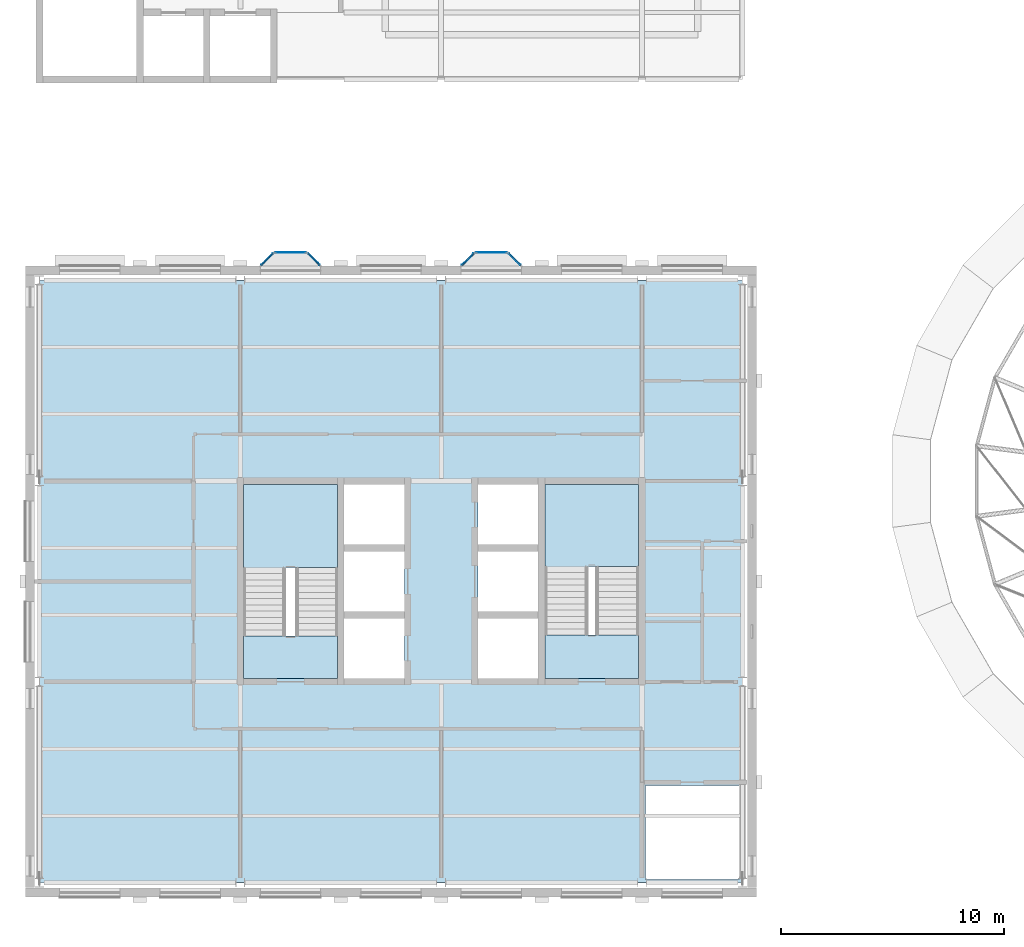
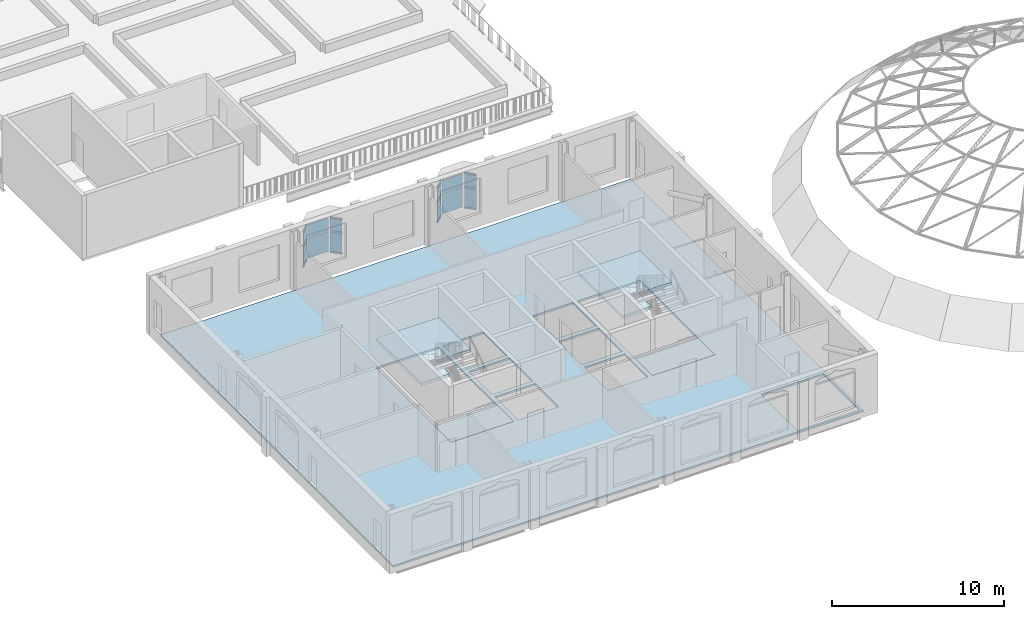
# One storey, part 9 of 33: 12 members, 12 plates, 5 slabs, 8 elements without a shape of their own.
"""IFC4 building model written with IfcOpenShell, lengths in metres."""

import ifcopenshell
import ifcopenshell.guid

model = None  # the IFC model being written
_history = None  # IfcOwnerHistory: only IFC2X3 demands one
_inside = {}  # id of a spatial element -> (the spatial element, [elements in it])
_under = {}  # id of a project, library or spatial element -> (it, [spatial elements below it])
_declared = {}  # id of a project -> (the project, [libraries it declares])
_typed = {}  # id of a type object -> (the type object, [elements of that type])
_made_of = {}  # id of a material, layer set ... -> (it, [elements and type objects made of it])


def new_model(schema):
    """Start an empty IFC model of exactly this schema.

    Asked for "IFC4X3", IfcOpenShell would pick the latest addendum, in which some entities
    have other attributes; the version numbers below select the first issue.
    IFC2X3 requires an IfcOwnerHistory on every rooted entity: one is made here for all.
    """
    global model, _history
    if schema == "IFC4X3":
        model = ifcopenshell.file(schema_version=(4, 3, 0, 0))
    else:
        model = ifcopenshell.file(schema=schema)
    _inside.clear()
    _under.clear()
    _declared.clear()
    _typed.clear()
    _made_of.clear()
    _history = None
    if model.schema == "IFC2X3":
        org = make("IfcOrganization", Name="unknown")
        user = make(
            "IfcPersonAndOrganization",
            ThePerson=make("IfcPerson", FamilyName="unknown"),
            TheOrganization=org,
        )
        app = make(
            "IfcApplication",
            ApplicationDeveloper=org,
            Version="unknown",
            ApplicationFullName="unknown",
            ApplicationIdentifier="unknown",
        )
        _history = make(
            "IfcOwnerHistory",
            OwningUser=user,
            OwningApplication=app,
            ChangeAction="ADDED",
            CreationDate=0,
        )
    return model


def make(cls, **values):
    """One entity of the class cls with the attributes given. An attribute that is None is left unset."""
    return model.create_entity(
        cls, **{name: value for name, value in values.items() if value is not None}
    )


def rooted(cls, **values):
    """An entity with a GlobalId (a new one), such as an element, a storey or a relation."""
    return make(cls, GlobalId=ifcopenshell.guid.new(), OwnerHistory=_history, **values)


def si_unit(unit_type, name, prefix=None):
    """IfcSIUnit, for example si_unit("LENGTHUNIT", "METRE", prefix="MILLI")."""
    return make("IfcSIUnit", UnitType=unit_type, Prefix=prefix, Name=name)


def assignment(units):
    """IfcUnitAssignment: the units of a project."""
    return None if units is None else make("IfcUnitAssignment", Units=units)


def point(xyz):
    """IfcCartesianPoint."""
    return None if xyz is None else make("IfcCartesianPoint", Coordinates=xyz)


def direction(xyz):
    """IfcDirection."""
    return None if xyz is None else make("IfcDirection", DirectionRatios=xyz)


def frame(location, z_axis=None, x_axis=None):
    """IfcAxis2Placement3D, a coordinate frame: its origin and axes. An axis left out is left unset."""
    return make(
        "IfcAxis2Placement3D",
        Location=point(location),
        Axis=direction(z_axis),
        RefDirection=direction(x_axis),
    )


def frame_2d(location, x_axis=None):
    """IfcAxis2Placement2D, a coordinate frame in the plane: its origin and x axis."""
    return make(
        "IfcAxis2Placement2D", Location=point(location), RefDirection=direction(x_axis)
    )


def origin():
    """The frame at (0, 0, 0) with its axes left unset."""
    return frame((0.0, 0.0, 0.0))


def origin_2d():
    """The frame at (0, 0) in the plane with its x axis left unset."""
    return frame_2d((0.0, 0.0))


def place(relative_to, where):
    """IfcLocalPlacement: puts the frame where relative to a parent placement (None: the world)."""
    return make(
        "IfcLocalPlacement", PlacementRelTo=relative_to, RelativePlacement=where
    )


def context(
    kind, dimensions, precision=None, world=None, true_north=None, identifier=None
):
    """IfcGeometricRepresentationContext, for example the 3D "Model" context."""
    return make(
        "IfcGeometricRepresentationContext",
        ContextIdentifier=identifier,
        ContextType=kind,
        CoordinateSpaceDimension=dimensions,
        Precision=precision,
        WorldCoordinateSystem=world,
        TrueNorth=true_north,
    )


def subcontext(parent, identifier, kind, view, scale=None):
    """IfcGeometricRepresentationSubContext, for example "Body" below "Model"."""
    return make(
        "IfcGeometricRepresentationSubContext",
        ContextIdentifier=identifier,
        ContextType=kind,
        ParentContext=parent,
        TargetScale=scale,
        TargetView=view,
    )


def project(units=None, contexts=None):
    """IfcProject with its units and contexts."""
    return rooted(
        "IfcProject",
        Name="project",
        RepresentationContexts=contexts,
        UnitsInContext=assignment(units),
    )


def spatial(cls, under=None, at=None, **own):
    """A site, building, storey or space (cls), placed at a placement, below another one or the project."""
    s = rooted(cls, ObjectPlacement=at, **own)
    if under is not None:
        _under.setdefault(under.id(), (under, []))[1].append(s)
    return s


def polyline(points):
    """IfcPolyline through the points."""
    return make("IfcPolyline", Points=[point(p) for p in points])


def profile(cls, at=None, kind="AREA", **sizes):
    """A parametric profile (cls). Its sizes go by their IFC names, for example OverallWidth=200.0."""
    return make(cls, ProfileType=kind, Position=at, **sizes)


def rectangle(**sizes):
    """IfcRectangleProfileDef."""
    return profile("IfcRectangleProfileDef", **sizes)


def outline(outer, holes=None, kind="AREA"):
    """IfcArbitraryClosedProfileDef: a profile drawn as a closed curve; with holes, ...WithVoids."""
    if holes is None:
        return make("IfcArbitraryClosedProfileDef", ProfileType=kind, OuterCurve=outer)
    return make(
        "IfcArbitraryProfileDefWithVoids",
        ProfileType=kind,
        OuterCurve=outer,
        InnerCurves=holes,
    )


def extrude(swept, where, along, depth):
    """IfcExtrudedAreaSolid: the profile swept, set in the frame where, extruded along a direction by depth."""
    return make(
        "IfcExtrudedAreaSolid",
        SweptArea=swept,
        Position=where,
        ExtrudedDirection=direction(along),
        Depth=depth,
    )


def shape(context_of_items, identifier, shape_type, items):
    """IfcShapeRepresentation: the items that make up one representation, for example the "Body"."""
    return make(
        "IfcShapeRepresentation",
        ContextOfItems=context_of_items,
        RepresentationIdentifier=identifier,
        RepresentationType=shape_type,
        Items=items,
    )


def material(Name=None, Category=None):
    """IfcMaterial."""
    return make("IfcMaterial", Name=Name, Category=Category)


def layer(
    of_material, thickness, ventilated=None, Name=None, Category=None, Priority=None
):
    """IfcMaterialLayer: one layer of a wall or slab, of a material (None: an air gap)."""
    return make(
        "IfcMaterialLayer",
        Material=of_material,
        LayerThickness=thickness,
        IsVentilated=ventilated,
        Name=Name,
        Category=Category,
        Priority=Priority,
    )


def layer_set(layers, Name=None):
    """IfcMaterialLayerSet."""
    return make("IfcMaterialLayerSet", MaterialLayers=layers, LayerSetName=Name)


def material_profile(
    of_material, cross_section, Name=None, Category=None, Priority=None
):
    """IfcMaterialProfile: a cross section and its material."""
    return make(
        "IfcMaterialProfile",
        Name=Name,
        Material=of_material,
        Profile=cross_section,
        Priority=Priority,
        Category=Category,
    )


def profile_set(profiles, Name=None, composite=None):
    """IfcMaterialProfileSet."""
    return make(
        "IfcMaterialProfileSet",
        Name=Name,
        MaterialProfiles=profiles,
        CompositeProfile=composite,
    )


def made_of(thing, what):
    """Note that an element or type object is made of a material, layer set ...; save() writes the relation."""
    if what is not None:
        _made_of.setdefault(what.id(), (what, []))[1].append(thing)
    return thing


def type_object(cls, material=None, **own):
    """A type object (cls), such as IfcWallType, which elements share."""
    return made_of(rooted(cls, **own), material)


def element(
    cls,
    number,
    at=None,
    inside=None,
    cuts=None,
    type_object=None,
    material=None,
    context=None,
    identifier="Body",
    shape_type=None,
    held_by="IfcProductDefinitionShape",
    body=None,
    shapes=None,
    **own,
):
    """One element of the class cls, such as IfcWall. Its Tag is "e" and its number.

    at: its placement. inside: the storey or other place that contains it. cuts: it is an
    opening in that element (IfcRelVoidsElement). A single representation is given by context,
    identifier, shape_type and body (its items); several are given by shapes. held_by: the class
    of the entity that holds the representations. save() writes the other relations.
    """
    e = rooted(cls, Tag="e%d" % number, ObjectPlacement=at, **own)
    if body is not None:
        shapes = [shape(context, identifier, shape_type, body)]
    if shapes is not None:
        e.Representation = make(held_by, Representations=shapes)
    if inside is not None:
        _inside.setdefault(inside.id(), (inside, []))[1].append(e)
    if cuts is not None:
        rooted(
            "IfcRelVoidsElement", RelatingBuildingElement=cuts, RelatedOpeningElement=e
        )
    if type_object is not None:
        _typed.setdefault(type_object.id(), (type_object, []))[1].append(e)
    return made_of(e, material)


def aggregate(whole, parts):
    """IfcRelAggregates: a whole, such as a stair, and the parts it consists of."""
    return rooted("IfcRelAggregates", RelatingObject=whole, RelatedObjects=parts)


def save(model, path):
    """Write the relations noted so far, then the file.

    IfcRelAggregates (storeys below a building ...), IfcRelContainedInSpatialStructure (elements
    in a storey), IfcRelDefinesByType, IfcRelAssociatesMaterial and IfcRelDeclares: one each for
    every whole, place, type object, material and project.
    """
    for whole, parts in _under.values():
        aggregate(whole, parts)
    for where, things in _inside.values():
        rooted(
            "IfcRelContainedInSpatialStructure",
            RelatedElements=things,
            RelatingStructure=where,
        )
    for kind, things in _typed.values():
        rooted("IfcRelDefinesByType", RelatedObjects=things, RelatingType=kind)
    for what, things in _made_of.values():
        rooted("IfcRelAssociatesMaterial", RelatedObjects=things, RelatingMaterial=what)
    for by, libraries in _declared.values():
        rooted("IfcRelDeclares", RelatingContext=by, RelatedDefinitions=libraries)
    model.write(path)


model = new_model("IFC4")

# Units and contexts
model_context = context("Model", 3, precision=1e-05, world=origin(), true_north=direction((0.0, 1.0)))
body_context = subcontext(model_context, "Body", "Model", "MODEL_VIEW")
ifc_project = project(units=[si_unit("LENGTHUNIT", "METRE"), si_unit("AREAUNIT", "SQUARE_METRE"), si_unit("VOLUMEUNIT", "CUBIC_METRE"), si_unit("PLANEANGLEUNIT", "RADIAN"), si_unit("MASSUNIT", "GRAM", prefix="KILO")], contexts=[model_context])

# Site, building, storey
site_placement = place(None, origin())
site = spatial("IfcSite", under=ifc_project, at=site_placement, CompositionType="ELEMENT")
building_placement = place(site_placement, origin())
building = spatial("IfcBuilding", under=site, at=building_placement, Name="Hortulan Conservatory and Botanical Research Centre", CompositionType="ELEMENT")
storey_placement = place(building_placement, frame((0.0, 0.0, 19.199951171875)))
storey = spatial("IfcBuildingStorey", under=building, at=storey_placement, Name="L04", CompositionType="ELEMENT", Elevation=19.199951171875)

# Curtain wall, members
ifc_material_1 = material(Name="Bronze-finished aluminium", Category="aluminium")
ifc_layer_1 = layer(ifc_material_1, 0.10009765625)
ifc_layer_set_1 = layer_set([ifc_layer_1], Name="Oriel Curtain Wall 1350 module")
curtain_wall_type = type_object("IfcCurtainWallType", Name="Oriel Curtain Wall 1350 module", PredefinedType="NOTDEFINED", material=ifc_layer_set_1)
curtain_wall_1_placement = place(storey_placement, origin())
curtain_wall_1 = element("IfcCurtainWall", 1, at=curtain_wall_1_placement, inside=storey, type_object=curtain_wall_type, Name="Oriel glazing", PredefinedType="NOTDEFINED")
ifc_material_profile = material_profile(ifc_material_1, rectangle(XDim=0.06005859375, YDim=0.1201171875, at=origin_2d()), Name="Bronze Transom 60x120")
ifc_profile_set = profile_set([ifc_material_profile], Name="Bronze-finished aluminium")
member_type = type_object("IfcMemberType", Name="Bronze Transom 60x120", PredefinedType="USERDEFINED", material=ifc_profile_set)
member_1_placement = place(storey_placement, frame((9.9423828125, 27.678466796875, 0.929931640625), z_axis=(0.707106781187, 0.707106781187, 0.0), x_axis=(-0.707106781187, 0.707106781187, 0.0)))
member_1 = element("IfcMember", 2, at=member_1_placement, type_object=member_type, Name="CW2 transom 1.1", ObjectType="TRANSOM", PredefinedType="USERDEFINED", context=body_context, shape_type="SweptSolid", body=[
    extrude(rectangle(XDim=0.06005859375, YDim=0.1201171875, at=origin_2d()), origin(), (0.0, 0.0, 1.0), 0.728515625),
])
member_2_placement = place(storey_placement, frame((9.9423828125, 27.678466796875, 2.400146484375), z_axis=(0.707106781187, 0.707106781187, 0.0), x_axis=(-0.707106781187, 0.707106781187, 0.0)))
member_2 = element("IfcMember", 3, at=member_2_placement, type_object=member_type, Name="CW2 transom 1.2", ObjectType="TRANSOM", PredefinedType="USERDEFINED", context=body_context, shape_type="SweptSolid", body=[
    extrude(rectangle(XDim=0.06005859375, YDim=0.1201171875, at=origin_2d()), origin(), (0.0, 0.0, 1.0), 0.728515625),
])
member_3_placement = place(storey_placement, frame((9.9423828125, 27.678466796875, 3.3701171875), z_axis=(0.707106781187, 0.707106781187, 0.0), x_axis=(-0.707106781187, 0.707106781187, 0.0)))
member_3 = element("IfcMember", 4, at=member_3_placement, type_object=member_type, Name="CW2 transom 1.3", ObjectType="TRANSOM", PredefinedType="USERDEFINED", context=body_context, shape_type="SweptSolid", body=[
    extrude(rectangle(XDim=0.06005859375, YDim=0.1201171875, at=origin_2d()), origin(), (0.0, 0.0, 1.0), 0.728515625),
])

curtain_wall_2_placement = place(storey_placement, origin())
curtain_wall_2 = element("IfcCurtainWall", 5, at=curtain_wall_2_placement, inside=storey, type_object=curtain_wall_type, Name="Oriel glazing", PredefinedType="NOTDEFINED")
member_4_placement = place(storey_placement, frame((12.04248046875, 28.193603515625, 0.929931640625), z_axis=(0.707106781187, -0.707106781187, 0.0), x_axis=(0.707106781187, 0.707106781187, 0.0)))
member_4 = element("IfcMember", 6, at=member_4_placement, type_object=member_type, Name="CW2 transom 1.1", ObjectType="TRANSOM", PredefinedType="USERDEFINED", context=body_context, shape_type="SweptSolid", body=[
    extrude(rectangle(XDim=0.06005859375, YDim=0.1201171875, at=origin_2d()), origin(), (0.0, 0.0, 1.0), 0.728515625),
])
member_5_placement = place(storey_placement, frame((12.04248046875, 28.193603515625, 2.400146484375), z_axis=(0.707106781187, -0.707106781187, 0.0), x_axis=(0.707106781187, 0.707106781187, 0.0)))
member_5 = element("IfcMember", 7, at=member_5_placement, type_object=member_type, Name="CW2 transom 1.2", ObjectType="TRANSOM", PredefinedType="USERDEFINED", context=body_context, shape_type="SweptSolid", body=[
    extrude(rectangle(XDim=0.06005859375, YDim=0.1201171875, at=origin_2d()), origin(), (0.0, 0.0, 1.0), 0.728515625),
])
member_6_placement = place(storey_placement, frame((12.04248046875, 28.193603515625, 3.3701171875), z_axis=(0.707106781187, -0.707106781187, 0.0), x_axis=(0.707106781187, 0.707106781187, 0.0)))
member_6 = element("IfcMember", 8, at=member_6_placement, type_object=member_type, Name="CW2 transom 1.3", ObjectType="TRANSOM", PredefinedType="USERDEFINED", context=body_context, shape_type="SweptSolid", body=[
    extrude(rectangle(XDim=0.06005859375, YDim=0.1201171875, at=origin_2d()), origin(), (0.0, 0.0, 1.0), 0.728515625),
])

curtain_wall_3_placement = place(storey_placement, origin())
curtain_wall_3 = element("IfcCurtainWall", 9, at=curtain_wall_3_placement, inside=storey, type_object=curtain_wall_type, Name="Oriel glazing", PredefinedType="NOTDEFINED")
member_7_placement = place(storey_placement, frame((18.9423828125, 27.678466796875, 0.929931640625), z_axis=(0.707106781187, 0.707106781187, 0.0), x_axis=(-0.707106781187, 0.707106781187, 0.0)))
member_7 = element("IfcMember", 10, at=member_7_placement, type_object=member_type, Name="CW2 transom 1.1", ObjectType="TRANSOM", PredefinedType="USERDEFINED", context=body_context, shape_type="SweptSolid", body=[
    extrude(rectangle(XDim=0.06005859375, YDim=0.1201171875, at=origin_2d()), origin(), (0.0, 0.0, 1.0), 0.728515625),
])
member_8_placement = place(storey_placement, frame((18.9423828125, 27.678466796875, 2.400146484375), z_axis=(0.707106781187, 0.707106781187, 0.0), x_axis=(-0.707106781187, 0.707106781187, 0.0)))
member_8 = element("IfcMember", 11, at=member_8_placement, type_object=member_type, Name="CW2 transom 1.2", ObjectType="TRANSOM", PredefinedType="USERDEFINED", context=body_context, shape_type="SweptSolid", body=[
    extrude(rectangle(XDim=0.06005859375, YDim=0.1201171875, at=origin_2d()), origin(), (0.0, 0.0, 1.0), 0.728515625),
])
member_9_placement = place(storey_placement, frame((18.9423828125, 27.678466796875, 3.3701171875), z_axis=(0.707106781187, 0.707106781187, 0.0), x_axis=(-0.707106781187, 0.707106781187, 0.0)))
member_9 = element("IfcMember", 12, at=member_9_placement, type_object=member_type, Name="CW2 transom 1.3", ObjectType="TRANSOM", PredefinedType="USERDEFINED", context=body_context, shape_type="SweptSolid", body=[
    extrude(rectangle(XDim=0.06005859375, YDim=0.1201171875, at=origin_2d()), origin(), (0.0, 0.0, 1.0), 0.728515625),
])

curtain_wall_4_placement = place(storey_placement, origin())
curtain_wall_4 = element("IfcCurtainWall", 13, at=curtain_wall_4_placement, inside=storey, type_object=curtain_wall_type, Name="Oriel glazing", PredefinedType="NOTDEFINED")
member_10_placement = place(storey_placement, frame((21.04248046875, 28.193603515625, 0.929931640625), z_axis=(0.707106781187, -0.707106781187, 0.0), x_axis=(0.707106781187, 0.707106781187, 0.0)))
member_10 = element("IfcMember", 14, at=member_10_placement, type_object=member_type, Name="CW2 transom 1.1", ObjectType="TRANSOM", PredefinedType="USERDEFINED", context=body_context, shape_type="SweptSolid", body=[
    extrude(rectangle(XDim=0.06005859375, YDim=0.1201171875, at=origin_2d()), origin(), (0.0, 0.0, 1.0), 0.728515625),
])
member_11_placement = place(storey_placement, frame((21.04248046875, 28.193603515625, 2.400146484375), z_axis=(0.707106781187, -0.707106781187, 0.0), x_axis=(0.707106781187, 0.707106781187, 0.0)))
member_11 = element("IfcMember", 15, at=member_11_placement, type_object=member_type, Name="CW2 transom 1.2", ObjectType="TRANSOM", PredefinedType="USERDEFINED", context=body_context, shape_type="SweptSolid", body=[
    extrude(rectangle(XDim=0.06005859375, YDim=0.1201171875, at=origin_2d()), origin(), (0.0, 0.0, 1.0), 0.728515625),
])
member_12_placement = place(storey_placement, frame((21.04248046875, 28.193603515625, 3.3701171875), z_axis=(0.707106781187, -0.707106781187, 0.0), x_axis=(0.707106781187, 0.707106781187, 0.0)))
member_12 = element("IfcMember", 16, at=member_12_placement, type_object=member_type, Name="CW2 transom 1.3", ObjectType="TRANSOM", PredefinedType="USERDEFINED", context=body_context, shape_type="SweptSolid", body=[
    extrude(rectangle(XDim=0.06005859375, YDim=0.1201171875, at=origin_2d()), origin(), (0.0, 0.0, 1.0), 0.728515625),
])

# Slab
ifc_material_2 = material(Name="Concrete N32 (32 MPa, AS 3600)", Category="concrete")
ifc_layer_2 = layer(ifc_material_2, 0.1298828125)
ifc_layer_set_2 = layer_set([ifc_layer_2], Name="Composite Floor Slab 130")
slab_type_1 = type_object("IfcSlabType", Name="Composite Floor Slab 130", PredefinedType="FLOOR", material=ifc_layer_set_2)
slab_1_placement = place(storey_placement, frame((0.0, 0.0, -0.1298828125)))
element("IfcSlab", 17, at=slab_1_placement, inside=storey, type_object=slab_type_1, Name="Floor slab", PredefinedType="FLOOR", context=body_context, shape_type="SweptSolid", body=[
    extrude(outline(polyline([(0.0, 0.0), (31.5, 0.0), (31.5, 27.0), (0.0, 27.0), (0.0, 0.0)]), holes=[polyline([(27.14990234375, 4.35009765625), (27.14990234375, 0.14990234375), (31.35009765625, 0.14990234375), (31.35009765625, 4.35009765625), (27.14990234375, 4.35009765625)]), polyline([(13.64990234375, 11.85009765625), (13.64990234375, 9.14990234375), (16.35009765625, 9.14990234375), (16.35009765625, 11.85009765625), (13.64990234375, 11.85009765625)]), polyline([(19.64990234375, 11.85009765625), (19.64990234375, 9.14990234375), (22.35009765625, 9.14990234375), (22.35009765625, 11.85009765625), (19.64990234375, 11.85009765625)]), polyline([(9.14990234375, 17.85009765625), (9.14990234375, 9.14990234375), (13.35009765625, 9.14990234375), (13.35009765625, 17.85009765625), (9.14990234375, 17.85009765625)]), polyline([(13.64990234375, 14.85009765625), (13.64990234375, 12.14990234375), (16.35009765625, 12.14990234375), (16.35009765625, 14.85009765625), (13.64990234375, 14.85009765625)]), polyline([(19.64990234375, 14.85009765625), (19.64990234375, 12.14990234375), (22.35009765625, 12.14990234375), (22.35009765625, 14.85009765625), (19.64990234375, 14.85009765625)]), polyline([(22.64990234375, 17.85009765625), (22.64990234375, 9.14990234375), (26.85009765625, 9.14990234375), (26.85009765625, 17.85009765625), (22.64990234375, 17.85009765625)]), polyline([(16.35009765625, 17.85009765625), (13.64990234375, 17.85009765625), (13.64990234375, 15.14990234375), (16.35009765625, 15.14990234375), (16.35009765625, 17.85009765625)]), polyline([(22.35009765625, 17.85009765625), (19.64990234375, 17.85009765625), (19.64990234375, 15.14990234375), (22.35009765625, 15.14990234375), (22.35009765625, 17.85009765625)])]), origin(), (0.0, 0.0, 1.0), 0.1298828125),
])

# Plate
ifc_material_3 = material(Name="Low-e laminated glass", Category="glass")
ifc_layer_3 = layer(ifc_material_3, 0.028076171875)
ifc_layer_set_3 = layer_set([ifc_layer_3], Name="Laminated Glass Panel 28")
plate_type = type_object("IfcPlateType", Name="Laminated Glass Panel 28", PredefinedType="CURTAIN_PANEL", material=ifc_layer_set_3)
plate_1_placement = place(storey_placement, frame((10.199951171875, 27.93603515625, 0.9599609375), z_axis=(0.0, 0.0, 1.0), x_axis=(0.707106781187, 0.707106781187, 0.0)))
plate_1 = element("IfcPlate", 18, at=plate_1_placement, type_object=plate_type, Name="CW2 panel 1.1", PredefinedType="CURTAIN_PANEL", context=body_context, shape_type="SweptSolid", body=[
    extrude(rectangle(XDim=0.728515625, YDim=0.028076171875, at=origin_2d()), origin(), (0.0, 0.0, 1.0), 1.409912109375),
])

plate_2_placement = place(storey_placement, frame((10.199951171875, 27.93603515625, 2.43017578125), z_axis=(0.0, 0.0, 1.0), x_axis=(0.707106781187, 0.707106781187, 0.0)))
plate_2 = element("IfcPlate", 19, at=plate_2_placement, type_object=plate_type, Name="CW2 panel 1.2", PredefinedType="CURTAIN_PANEL", context=body_context, shape_type="SweptSolid", body=[
    extrude(rectangle(XDim=0.728515625, YDim=0.028076171875, at=origin_2d()), origin(), (0.0, 0.0, 1.0), 0.909912109375),
])

aggregate(curtain_wall_1, [member_1, member_2, member_3, plate_1, plate_2])

# Curtain wall, plates
curtain_wall_5_placement = place(storey_placement, origin())
curtain_wall_5 = element("IfcCurtainWall", 20, at=curtain_wall_5_placement, inside=storey, type_object=curtain_wall_type, Name="Oriel glazing", PredefinedType="NOTDEFINED")
plate_3_placement = place(storey_placement, frame((11.25, 28.236083984375, 0.9599609375), z_axis=(0.0, 0.0, 1.0), x_axis=(1.0, 0.0, 0.0)))
plate_3 = element("IfcPlate", 21, at=plate_3_placement, type_object=plate_type, Name="CW2 panel 1.1", PredefinedType="CURTAIN_PANEL", context=body_context, shape_type="SweptSolid", body=[
    extrude(rectangle(XDim=1.3798828125, YDim=0.028076171875, at=origin_2d()), origin(), (0.0, 0.0, 1.0), 1.409912109375),
])
plate_4_placement = place(storey_placement, frame((11.25, 28.236083984375, 2.43017578125), z_axis=(0.0, 0.0, 1.0), x_axis=(1.0, 0.0, 0.0)))
plate_4 = element("IfcPlate", 22, at=plate_4_placement, type_object=plate_type, Name="CW2 panel 1.2", PredefinedType="CURTAIN_PANEL", context=body_context, shape_type="SweptSolid", body=[
    extrude(rectangle(XDim=1.3798828125, YDim=0.028076171875, at=origin_2d()), origin(), (0.0, 0.0, 1.0), 0.909912109375),
])
aggregate(curtain_wall_5, [plate_3, plate_4])

# Plate
plate_5_placement = place(storey_placement, frame((12.300048828125, 27.93603515625, 0.9599609375), z_axis=(0.0, 0.0, 1.0), x_axis=(0.707106781187, -0.707106781187, 0.0)))
plate_5 = element("IfcPlate", 23, at=plate_5_placement, type_object=plate_type, Name="CW2 panel 1.1", PredefinedType="CURTAIN_PANEL", context=body_context, shape_type="SweptSolid", body=[
    extrude(rectangle(XDim=0.728515625, YDim=0.028076171875, at=origin_2d()), origin(), (0.0, 0.0, 1.0), 1.409912109375),
])

plate_6_placement = place(storey_placement, frame((12.300048828125, 27.93603515625, 2.43017578125), z_axis=(0.0, 0.0, 1.0), x_axis=(0.707106781187, -0.707106781187, 0.0)))
plate_6 = element("IfcPlate", 24, at=plate_6_placement, type_object=plate_type, Name="CW2 panel 1.2", PredefinedType="CURTAIN_PANEL", context=body_context, shape_type="SweptSolid", body=[
    extrude(rectangle(XDim=0.728515625, YDim=0.028076171875, at=origin_2d()), origin(), (0.0, 0.0, 1.0), 0.909912109375),
])

aggregate(curtain_wall_2, [member_4, member_5, member_6, plate_5, plate_6])

plate_7_placement = place(storey_placement, frame((19.199951171875, 27.93603515625, 0.9599609375), z_axis=(0.0, 0.0, 1.0), x_axis=(0.707106781187, 0.707106781187, 0.0)))
plate_7 = element("IfcPlate", 25, at=plate_7_placement, type_object=plate_type, Name="CW2 panel 1.1", PredefinedType="CURTAIN_PANEL", context=body_context, shape_type="SweptSolid", body=[
    extrude(rectangle(XDim=0.728515625, YDim=0.028076171875, at=origin_2d()), origin(), (0.0, 0.0, 1.0), 1.409912109375),
])

plate_8_placement = place(storey_placement, frame((19.199951171875, 27.93603515625, 2.43017578125), z_axis=(0.0, 0.0, 1.0), x_axis=(0.707106781187, 0.707106781187, 0.0)))
plate_8 = element("IfcPlate", 26, at=plate_8_placement, type_object=plate_type, Name="CW2 panel 1.2", PredefinedType="CURTAIN_PANEL", context=body_context, shape_type="SweptSolid", body=[
    extrude(rectangle(XDim=0.728515625, YDim=0.028076171875, at=origin_2d()), origin(), (0.0, 0.0, 1.0), 0.909912109375),
])

aggregate(curtain_wall_3, [member_7, member_8, member_9, plate_7, plate_8])

# Curtain wall, plates
curtain_wall_6_placement = place(storey_placement, origin())
curtain_wall_6 = element("IfcCurtainWall", 27, at=curtain_wall_6_placement, inside=storey, type_object=curtain_wall_type, Name="Oriel glazing", PredefinedType="NOTDEFINED")
plate_9_placement = place(storey_placement, frame((20.25, 28.236083984375, 0.9599609375), z_axis=(0.0, 0.0, 1.0), x_axis=(1.0, 0.0, 0.0)))
plate_9 = element("IfcPlate", 28, at=plate_9_placement, type_object=plate_type, Name="CW2 panel 1.1", PredefinedType="CURTAIN_PANEL", context=body_context, shape_type="SweptSolid", body=[
    extrude(rectangle(XDim=1.3798828125, YDim=0.028076171875, at=origin_2d()), origin(), (0.0, 0.0, 1.0), 1.409912109375),
])
plate_10_placement = place(storey_placement, frame((20.25, 28.236083984375, 2.43017578125), z_axis=(0.0, 0.0, 1.0), x_axis=(1.0, 0.0, 0.0)))
plate_10 = element("IfcPlate", 29, at=plate_10_placement, type_object=plate_type, Name="CW2 panel 1.2", PredefinedType="CURTAIN_PANEL", context=body_context, shape_type="SweptSolid", body=[
    extrude(rectangle(XDim=1.3798828125, YDim=0.028076171875, at=origin_2d()), origin(), (0.0, 0.0, 1.0), 0.909912109375),
])
aggregate(curtain_wall_6, [plate_9, plate_10])

# Plate
plate_11_placement = place(storey_placement, frame((21.300048828125, 27.93603515625, 0.9599609375), z_axis=(0.0, 0.0, 1.0), x_axis=(0.707106781187, -0.707106781187, 0.0)))
plate_11 = element("IfcPlate", 30, at=plate_11_placement, type_object=plate_type, Name="CW2 panel 1.1", PredefinedType="CURTAIN_PANEL", context=body_context, shape_type="SweptSolid", body=[
    extrude(rectangle(XDim=0.728515625, YDim=0.028076171875, at=origin_2d()), origin(), (0.0, 0.0, 1.0), 1.409912109375),
])

plate_12_placement = place(storey_placement, frame((21.300048828125, 27.93603515625, 2.43017578125), z_axis=(0.0, 0.0, 1.0), x_axis=(0.707106781187, -0.707106781187, 0.0)))
plate_12 = element("IfcPlate", 31, at=plate_12_placement, type_object=plate_type, Name="CW2 panel 1.2", PredefinedType="CURTAIN_PANEL", context=body_context, shape_type="SweptSolid", body=[
    extrude(rectangle(XDim=0.728515625, YDim=0.028076171875, at=origin_2d()), origin(), (0.0, 0.0, 1.0), 0.909912109375),
])

aggregate(curtain_wall_4, [member_10, member_11, member_12, plate_11, plate_12])

# Stair, slab
ifc_material_4 = material(Name="Concrete N40 (40 MPa, AS 3600)", Category="concrete")
stair_type_1 = type_object("IfcStairType", Name="Concrete Escape Stair 1900", PredefinedType="HALF_TURN_STAIR", material=ifc_material_4)
stair_1_placement = place(storey_placement, origin())
stair_1 = element("IfcStair", 32, at=stair_1_placement, inside=storey, type_object=stair_type_1, Name="Stair T1 L04", PredefinedType="HALF_TURN_STAIR")
ifc_layer_4 = layer(ifc_material_4, 0.199951171875)
ifc_layer_set_4 = layer_set([ifc_layer_4], Name="Stair Landing 200")
slab_type_2 = type_object("IfcSlabType", Name="Stair Landing 200", PredefinedType="LANDING", material=ifc_layer_set_4)
slab_2_placement = place(storey_placement, frame((0.0, 0.0, 1.900146484375)))
slab_2 = element("IfcSlab", 33, at=slab_2_placement, type_object=slab_type_2, Name="Stair T1 L04 half landing 1", PredefinedType="LANDING", context=body_context, shape_type="SweptSolid", body=[
    extrude(outline(polyline([(13.35009765625, 14.12939453125), (11.050048828125, 14.12939453125), (11.050048828125, 12.590087890625), (9.14990234375, 12.590087890625), (9.14990234375, 14.12939453125), (9.14990234375, 14.1298828125), (9.14990234375, 14.139892578125), (9.14990234375, 17.85009765625), (13.35009765625, 17.85009765625), (13.35009765625, 14.139892578125), (13.35009765625, 14.1298828125), (13.35009765625, 14.12939453125)])), origin(), (0.0, 0.0, 1.0), 0.199951171875),
])
aggregate(stair_1, [slab_2])

# Slab
slab_3_placement = place(storey_placement, frame((0.0, 0.0, -0.199951171875)))
element("IfcSlab", 34, at=slab_3_placement, inside=storey, type_object=slab_type_2, Name="Stair T1 floor landing L04", PredefinedType="LANDING", context=body_context, shape_type="SweptSolid", body=[
    extrude(outline(polyline([(13.35009765625, 9.14990234375), (9.14990234375, 9.14990234375), (9.14990234375, 11.050048828125), (13.35009765625, 11.050048828125), (13.35009765625, 9.14990234375)])), origin(), (0.0, 0.0, 1.0), 0.199951171875),
])

# Stair, slab
stair_type_2 = type_object("IfcStairType", Name="Concrete Escape Stair 1950", PredefinedType="HALF_TURN_STAIR", material=ifc_material_4)
stair_2_placement = place(storey_placement, origin())
stair_2 = element("IfcStair", 35, at=stair_2_placement, inside=storey, type_object=stair_type_2, Name="Stair T2 L04", PredefinedType="HALF_TURN_STAIR")
slab_4_placement = place(storey_placement, frame((0.0, 0.0, 1.900146484375)))
slab_4 = element("IfcSlab", 36, at=slab_4_placement, type_object=slab_type_2, Name="Stair T2 L04 half landing 1", PredefinedType="LANDING", context=body_context, shape_type="SweptSolid", body=[
    extrude(outline(polyline([(26.85009765625, 14.179443359375), (24.60009765625, 14.179443359375), (24.60009765625, 12.639892578125), (22.64990234375, 12.639892578125), (22.64990234375, 14.179443359375), (22.64990234375, 14.179931640625), (22.64990234375, 14.18994140625), (22.64990234375, 17.85009765625), (26.85009765625, 17.85009765625), (26.85009765625, 14.18994140625), (26.85009765625, 14.179931640625), (26.85009765625, 14.179443359375)])), origin(), (0.0, 0.0, 1.0), 0.199951171875),
])
aggregate(stair_2, [slab_4])

# Slab
slab_5_placement = place(storey_placement, frame((0.0, 0.0, -0.199951171875)))
element("IfcSlab", 37, at=slab_5_placement, inside=storey, type_object=slab_type_2, Name="Stair T2 floor landing L04", PredefinedType="LANDING", context=body_context, shape_type="SweptSolid", body=[
    extrude(outline(polyline([(26.85009765625, 9.14990234375), (22.64990234375, 9.14990234375), (22.64990234375, 11.10009765625), (26.85009765625, 11.10009765625), (26.85009765625, 9.14990234375)])), origin(), (0.0, 0.0, 1.0), 0.199951171875),
])

save(model, "model.ifc")
